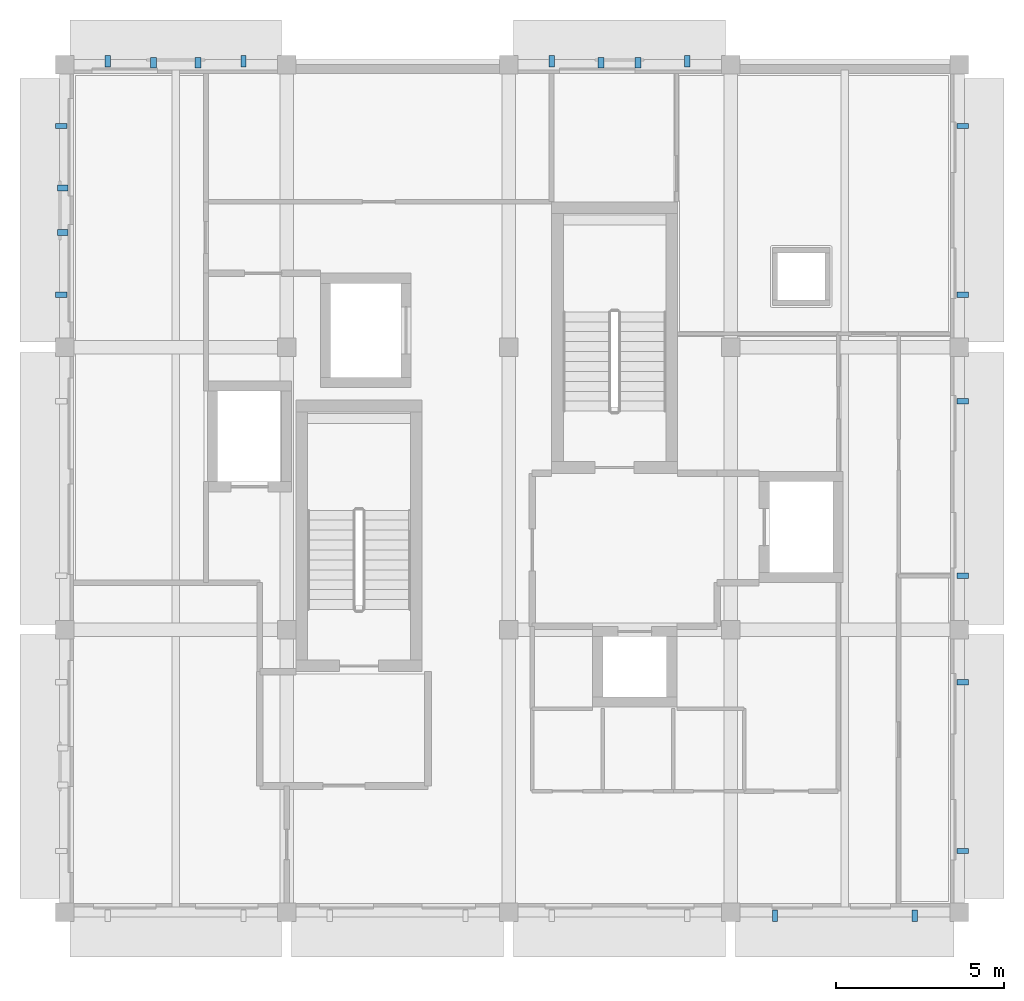
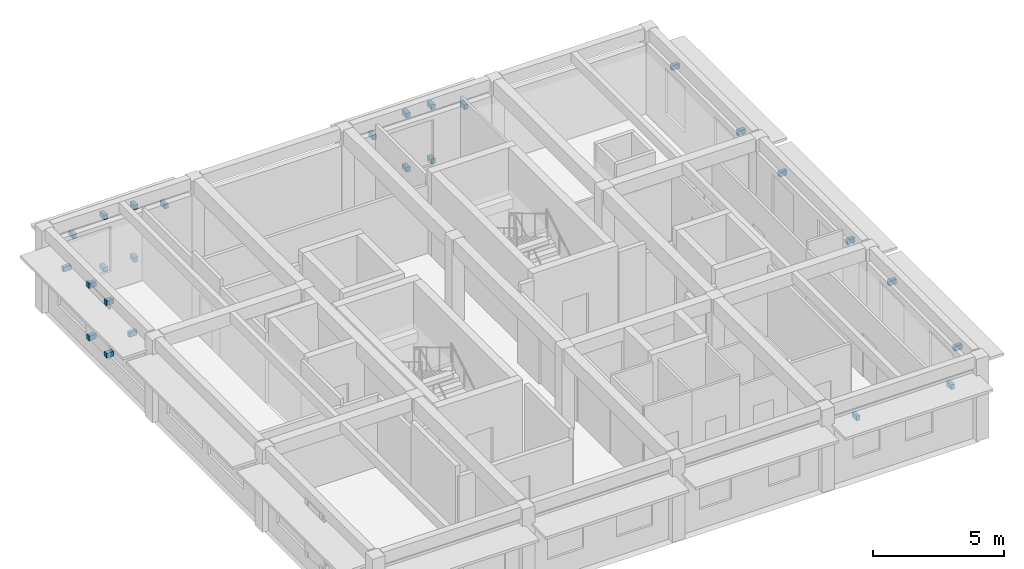
# One storey, part 5 of 7: 26 discrete accessories.
"""IFC4 building model written with IfcOpenShell, lengths in metres."""

from ifc_helpers import new_model, si_unit, direction, frame, origin, origin_2d, place, context, subcontext, project, spatial, rectangle, extrude, material, type_object, element, save


model = new_model("IFC4")

# Units and contexts
model_context = context("Model", 3, precision=1e-05, world=origin(), true_north=direction((0.0, 1.0)))
body_context = subcontext(model_context, "Body", "Model", "MODEL_VIEW")
ifc_project = project(units=[si_unit("LENGTHUNIT", "METRE"), si_unit("AREAUNIT", "SQUARE_METRE"), si_unit("VOLUMEUNIT", "CUBIC_METRE"), si_unit("PLANEANGLEUNIT", "RADIAN"), si_unit("MASSUNIT", "GRAM", prefix="KILO")], contexts=[model_context])

# Site, building, storey
site_placement = place(None, origin())
site = spatial("IfcSite", under=ifc_project, at=site_placement, CompositionType="ELEMENT")
building_placement = place(site_placement, origin())
building = spatial("IfcBuilding", under=site, at=building_placement, Name="Kolvaren Faculty of Natural Sciences", CompositionType="ELEMENT")
storey_placement = place(building_placement, frame((0.0, 0.0, 40.5)))
storey = spatial("IfcBuildingStorey", under=building, at=storey_placement, Name="L09", CompositionType="ELEMENT", Elevation=40.5)

# Discrete accessories
ifc_material = material(Name="Structural steel EN 10025-2 S355J2", Category="steel")
discrete_accessory_type = type_object("IfcDiscreteAccessoryType", Name="FacadeSupportBracket_260", PredefinedType="BRACKET", material=ifc_material)
for number, where, z_axis, x_axis, name in (
    (1, (172.10009765625, 82.37890625, 2.9150390625), (0.0, 0.0, 1.0), (0.0, -1.0, 0.0), "L09 chhajja hood steel bracket"),
    (2, (172.10009765625, 77.361083984375, 2.9150390625), (0.0, 0.0, 1.0), (0.0, -1.0, 0.0), "L09 chhajja hood steel bracket"),
    (3, (172.10009765625, 74.19189453125, 2.9150390625), (0.0, 0.0, 1.0), (0.0, -1.0, 0.0), "L09 chhajja hood steel bracket"),
    (4, (172.10009765625, 69.008056640625, 2.9150390625), (0.0, 0.0, 1.0), (0.0, -1.0, 0.0), "L09 chhajja hood steel bracket"),
    (5, (172.10009765625, 65.8388671875, 2.9150390625), (0.0, 0.0, 1.0), (0.0, -1.0, 0.0), "L09 chhajja hood steel bracket"),
    (6, (172.10009765625, 60.8212890625, 2.9150390625), (0.0, 0.0, 1.0), (0.0, -1.0, 0.0), "L09 chhajja hood steel bracket"),
    (7, (146.68408203125, 84.300048828125, 2.81494140625), (0.0, 0.0, 1.0), (1.0, 0.0, 0.0), "L09 chhajja hood steel bracket"),
    (8, (150.716064453125, 84.300048828125, 2.81494140625), (0.0, 0.0, 1.0), (1.0, 0.0, 0.0), "L09 chhajja hood steel bracket"),
):
    element("IfcDiscreteAccessory", number, at=place(storey_placement, frame(where, z_axis=z_axis, x_axis=x_axis)), inside=storey, type_object=discrete_accessory_type, Name=name, PredefinedType="BRACKET", context=body_context, shape_type="SweptSolid", body=[
        extrude(rectangle(XDim=0.159912109375, YDim=0.340087890625, at=origin_2d()), origin(), (0.0, 0.0, 1.0), 0.219970703125),
    ])
for number, where, z_axis, x_axis, name in (
    (9, (148.034912109375, 84.260009765625, 0.81982421875), (0.0, 0.0, 1.0), (1.0, 0.0, 0.0), "L09 jali screen wall bracket"),
    (10, (149.364990234375, 84.260009765625, 0.81982421875), (0.0, 0.0, 1.0), (1.0, 0.0, 0.0), "L09 jali screen wall bracket"),
    (11, (148.034912109375, 84.260009765625, 3.26025390625), (0.0, 0.0, 1.0), (1.0, 0.0, 0.0), "L09 jali screen wall bracket"),
    (12, (149.364990234375, 84.260009765625, 3.26025390625), (0.0, 0.0, 1.0), (1.0, 0.0, 0.0), "L09 jali screen wall bracket"),
):
    element("IfcDiscreteAccessory", number, at=place(storey_placement, frame(where, z_axis=z_axis, x_axis=x_axis)), inside=storey, type_object=discrete_accessory_type, Name=name, PredefinedType="BRACKET", context=body_context, shape_type="SweptSolid", body=[
        extrude(rectangle(XDim=0.179931640625, YDim=0.320068359375, at=origin_2d()), origin(), (0.0, 0.0, 1.0), 0.219970703125),
    ])
for number, where, z_axis, x_axis, name in (
    (13, (159.884033203125, 84.300048828125, 2.81494140625), (0.0, 0.0, 1.0), (1.0, 0.0, 0.0), "L09 chhajja hood steel bracket"),
    (14, (163.916015625, 84.300048828125, 2.81494140625), (0.0, 0.0, 1.0), (1.0, 0.0, 0.0), "L09 chhajja hood steel bracket"),
):
    element("IfcDiscreteAccessory", number, at=place(storey_placement, frame(where, z_axis=z_axis, x_axis=x_axis)), inside=storey, type_object=discrete_accessory_type, Name=name, PredefinedType="BRACKET", context=body_context, shape_type="SweptSolid", body=[
        extrude(rectangle(XDim=0.159912109375, YDim=0.340087890625, at=origin_2d()), origin(), (0.0, 0.0, 1.0), 0.219970703125),
    ])
for number, where, z_axis, x_axis, name in (
    (15, (161.34912109375, 84.260009765625, 0.81982421875), (0.0, 0.0, 1.0), (1.0, 0.0, 0.0), "L09 jali screen wall bracket"),
    (16, (162.450927734375, 84.260009765625, 0.81982421875), (0.0, 0.0, 1.0), (1.0, 0.0, 0.0), "L09 jali screen wall bracket"),
    (17, (161.34912109375, 84.260009765625, 3.34521484375), (0.0, 0.0, 1.0), (1.0, 0.0, 0.0), "L09 jali screen wall bracket"),
    (18, (162.450927734375, 84.260009765625, 3.34521484375), (0.0, 0.0, 1.0), (1.0, 0.0, 0.0), "L09 jali screen wall bracket"),
):
    element("IfcDiscreteAccessory", number, at=place(storey_placement, frame(where, z_axis=z_axis, x_axis=x_axis)), inside=storey, type_object=discrete_accessory_type, Name=name, PredefinedType="BRACKET", context=body_context, shape_type="SweptSolid", body=[
        extrude(rectangle(XDim=0.179931640625, YDim=0.320068359375, at=origin_2d()), origin(), (0.0, 0.0, 1.0), 0.219970703125),
    ])
for number, where, z_axis, x_axis, name in (
    (19, (145.300048828125, 77.361083984375, 2.9150390625), (0.0, 0.0, 1.0), (0.0, 1.0, 0.0), "L09 chhajja hood steel bracket"),
    (20, (145.300048828125, 82.37890625, 2.9150390625), (0.0, 0.0, 1.0), (0.0, 1.0, 0.0), "L09 chhajja hood steel bracket"),
):
    element("IfcDiscreteAccessory", number, at=place(storey_placement, frame(where, z_axis=z_axis, x_axis=x_axis)), inside=storey, type_object=discrete_accessory_type, Name=name, PredefinedType="BRACKET", context=body_context, shape_type="SweptSolid", body=[
        extrude(rectangle(XDim=0.159912109375, YDim=0.340087890625, at=origin_2d()), origin(), (0.0, 0.0, 1.0), 0.219970703125),
    ])
for number, where, z_axis, x_axis, name in (
    (21, (145.340087890625, 79.205078125, 0.81982421875), (0.0, 0.0, 1.0), (0.0, 1.0, 0.0), "L09 jali screen wall bracket"),
    (22, (145.340087890625, 80.534912109375, 0.81982421875), (0.0, 0.0, 1.0), (0.0, 1.0, 0.0), "L09 jali screen wall bracket"),
    (23, (145.340087890625, 79.205078125, 3.26025390625), (0.0, 0.0, 1.0), (0.0, 1.0, 0.0), "L09 jali screen wall bracket"),
    (24, (145.340087890625, 80.534912109375, 3.26025390625), (0.0, 0.0, 1.0), (0.0, 1.0, 0.0), "L09 jali screen wall bracket"),
):
    element("IfcDiscreteAccessory", number, at=place(storey_placement, frame(where, z_axis=z_axis, x_axis=x_axis)), inside=storey, type_object=discrete_accessory_type, Name=name, PredefinedType="BRACKET", context=body_context, shape_type="SweptSolid", body=[
        extrude(rectangle(XDim=0.179931640625, YDim=0.320068359375, at=origin_2d()), origin(), (0.0, 0.0, 1.0), 0.219970703125),
    ])
for number, where, z_axis, x_axis, name in (
    (25, (170.679931640625, 58.89990234375, 2.81494140625), (0.0, 0.0, 1.0), (-1.0, 0.0, 0.0), "L09 chhajja hood steel bracket"),
    (26, (166.52001953125, 58.89990234375, 2.81494140625), (0.0, 0.0, 1.0), (-1.0, 0.0, 0.0), "L09 chhajja hood steel bracket"),
):
    element("IfcDiscreteAccessory", number, at=place(storey_placement, frame(where, z_axis=z_axis, x_axis=x_axis)), inside=storey, type_object=discrete_accessory_type, Name=name, PredefinedType="BRACKET", context=body_context, shape_type="SweptSolid", body=[
        extrude(rectangle(XDim=0.159912109375, YDim=0.340087890625, at=origin_2d()), origin(), (0.0, 0.0, 1.0), 0.219970703125),
    ])

save(model, "model.ifc")
